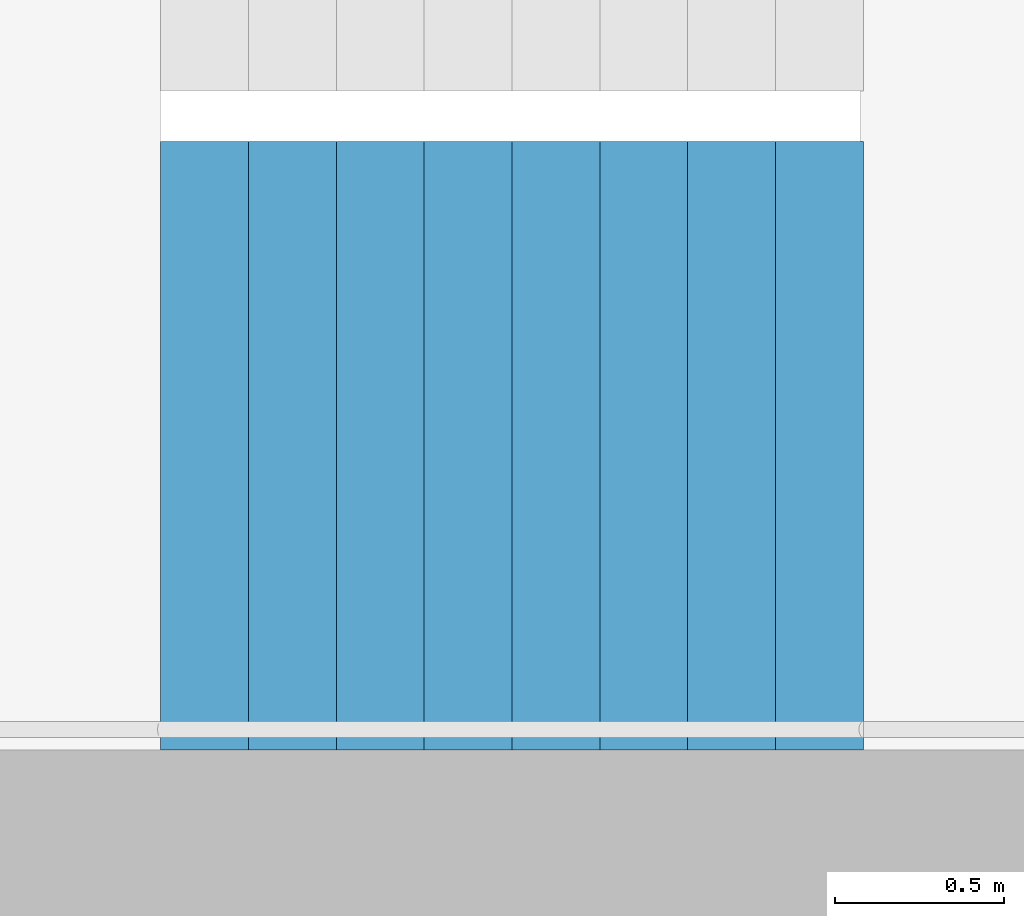
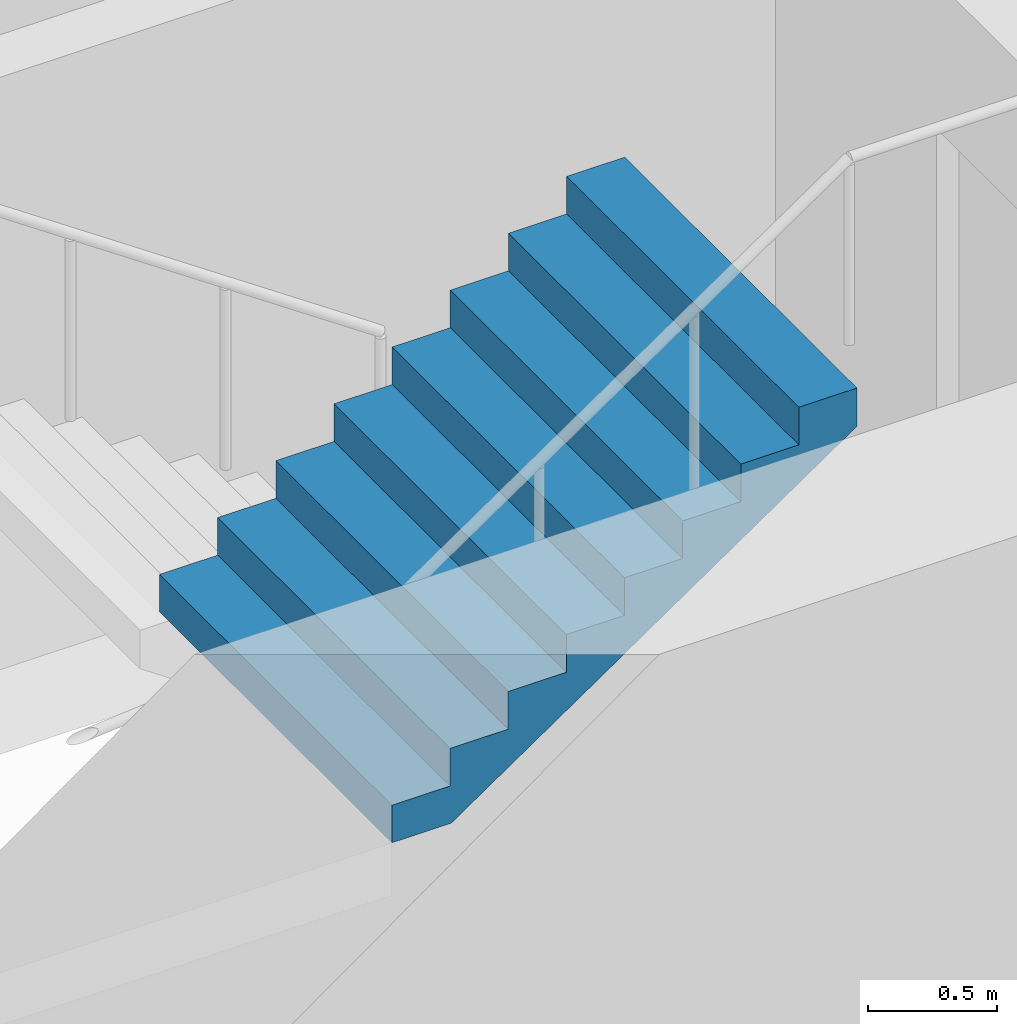
# One storey, part 19 of 33: 1 stair flight, 1 element without a shape of its own.
"""IFC4 building model written with IfcOpenShell, lengths in metres."""

import ifcopenshell
import ifcopenshell.guid

model = None  # the IFC model being written
_history = None  # IfcOwnerHistory: only IFC2X3 demands one
_inside = {}  # id of a spatial element -> (the spatial element, [elements in it])
_under = {}  # id of a project, library or spatial element -> (it, [spatial elements below it])
_declared = {}  # id of a project -> (the project, [libraries it declares])
_typed = {}  # id of a type object -> (the type object, [elements of that type])
_made_of = {}  # id of a material, layer set ... -> (it, [elements and type objects made of it])


def new_model(schema):
    """Start an empty IFC model of exactly this schema.

    Asked for "IFC4X3", IfcOpenShell would pick the latest addendum, in which some entities
    have other attributes; the version numbers below select the first issue.
    IFC2X3 requires an IfcOwnerHistory on every rooted entity: one is made here for all.
    """
    global model, _history
    if schema == "IFC4X3":
        model = ifcopenshell.file(schema_version=(4, 3, 0, 0))
    else:
        model = ifcopenshell.file(schema=schema)
    _inside.clear()
    _under.clear()
    _declared.clear()
    _typed.clear()
    _made_of.clear()
    _history = None
    if model.schema == "IFC2X3":
        org = make("IfcOrganization", Name="unknown")
        user = make(
            "IfcPersonAndOrganization",
            ThePerson=make("IfcPerson", FamilyName="unknown"),
            TheOrganization=org,
        )
        app = make(
            "IfcApplication",
            ApplicationDeveloper=org,
            Version="unknown",
            ApplicationFullName="unknown",
            ApplicationIdentifier="unknown",
        )
        _history = make(
            "IfcOwnerHistory",
            OwningUser=user,
            OwningApplication=app,
            ChangeAction="ADDED",
            CreationDate=0,
        )
    return model


def make(cls, **values):
    """One entity of the class cls with the attributes given. An attribute that is None is left unset."""
    return model.create_entity(
        cls, **{name: value for name, value in values.items() if value is not None}
    )


def rooted(cls, **values):
    """An entity with a GlobalId (a new one), such as an element, a storey or a relation."""
    return make(cls, GlobalId=ifcopenshell.guid.new(), OwnerHistory=_history, **values)


def si_unit(unit_type, name, prefix=None):
    """IfcSIUnit, for example si_unit("LENGTHUNIT", "METRE", prefix="MILLI")."""
    return make("IfcSIUnit", UnitType=unit_type, Prefix=prefix, Name=name)


def assignment(units):
    """IfcUnitAssignment: the units of a project."""
    return None if units is None else make("IfcUnitAssignment", Units=units)


def point(xyz):
    """IfcCartesianPoint."""
    return None if xyz is None else make("IfcCartesianPoint", Coordinates=xyz)


def direction(xyz):
    """IfcDirection."""
    return None if xyz is None else make("IfcDirection", DirectionRatios=xyz)


def frame(location, z_axis=None, x_axis=None):
    """IfcAxis2Placement3D, a coordinate frame: its origin and axes. An axis left out is left unset."""
    return make(
        "IfcAxis2Placement3D",
        Location=point(location),
        Axis=direction(z_axis),
        RefDirection=direction(x_axis),
    )


def origin():
    """The frame at (0, 0, 0) with its axes left unset."""
    return frame((0.0, 0.0, 0.0))


def place(relative_to, where):
    """IfcLocalPlacement: puts the frame where relative to a parent placement (None: the world)."""
    return make(
        "IfcLocalPlacement", PlacementRelTo=relative_to, RelativePlacement=where
    )


def context(
    kind, dimensions, precision=None, world=None, true_north=None, identifier=None
):
    """IfcGeometricRepresentationContext, for example the 3D "Model" context."""
    return make(
        "IfcGeometricRepresentationContext",
        ContextIdentifier=identifier,
        ContextType=kind,
        CoordinateSpaceDimension=dimensions,
        Precision=precision,
        WorldCoordinateSystem=world,
        TrueNorth=true_north,
    )


def subcontext(parent, identifier, kind, view, scale=None):
    """IfcGeometricRepresentationSubContext, for example "Body" below "Model"."""
    return make(
        "IfcGeometricRepresentationSubContext",
        ContextIdentifier=identifier,
        ContextType=kind,
        ParentContext=parent,
        TargetScale=scale,
        TargetView=view,
    )


def project(units=None, contexts=None):
    """IfcProject with its units and contexts."""
    return rooted(
        "IfcProject",
        Name="project",
        RepresentationContexts=contexts,
        UnitsInContext=assignment(units),
    )


def spatial(cls, under=None, at=None, **own):
    """A site, building, storey or space (cls), placed at a placement, below another one or the project."""
    s = rooted(cls, ObjectPlacement=at, **own)
    if under is not None:
        _under.setdefault(under.id(), (under, []))[1].append(s)
    return s


def point_list(points):
    """IfcCartesianPointList2D or 3D."""
    cls = (
        "IfcCartesianPointList2D" if len(points[0]) == 2 else "IfcCartesianPointList3D"
    )
    return make(cls, CoordList=points)


def triangles(points, corners, closed=None, point_numbers=None):
    """IfcTriangulatedFaceSet: each triangle names its three corners, points numbered from 1."""
    return make(
        "IfcTriangulatedFaceSet",
        Coordinates=point_list(points),
        Closed=closed,
        CoordIndex=corners,
        PnIndex=point_numbers,
    )


def shape(context_of_items, identifier, shape_type, items):
    """IfcShapeRepresentation: the items that make up one representation, for example the "Body"."""
    return make(
        "IfcShapeRepresentation",
        ContextOfItems=context_of_items,
        RepresentationIdentifier=identifier,
        RepresentationType=shape_type,
        Items=items,
    )


def material(Name=None, Category=None):
    """IfcMaterial."""
    return make("IfcMaterial", Name=Name, Category=Category)


def made_of(thing, what):
    """Note that an element or type object is made of a material, layer set ...; save() writes the relation."""
    if what is not None:
        _made_of.setdefault(what.id(), (what, []))[1].append(thing)
    return thing


def type_object(cls, material=None, **own):
    """A type object (cls), such as IfcWallType, which elements share."""
    return made_of(rooted(cls, **own), material)


def element(
    cls,
    number,
    at=None,
    inside=None,
    cuts=None,
    type_object=None,
    material=None,
    context=None,
    identifier="Body",
    shape_type=None,
    held_by="IfcProductDefinitionShape",
    body=None,
    shapes=None,
    **own,
):
    """One element of the class cls, such as IfcWall. Its Tag is "e" and its number.

    at: its placement. inside: the storey or other place that contains it. cuts: it is an
    opening in that element (IfcRelVoidsElement). A single representation is given by context,
    identifier, shape_type and body (its items); several are given by shapes. held_by: the class
    of the entity that holds the representations. save() writes the other relations.
    """
    e = rooted(cls, Tag="e%d" % number, ObjectPlacement=at, **own)
    if body is not None:
        shapes = [shape(context, identifier, shape_type, body)]
    if shapes is not None:
        e.Representation = make(held_by, Representations=shapes)
    if inside is not None:
        _inside.setdefault(inside.id(), (inside, []))[1].append(e)
    if cuts is not None:
        rooted(
            "IfcRelVoidsElement", RelatingBuildingElement=cuts, RelatedOpeningElement=e
        )
    if type_object is not None:
        _typed.setdefault(type_object.id(), (type_object, []))[1].append(e)
    return made_of(e, material)


def aggregate(whole, parts):
    """IfcRelAggregates: a whole, such as a stair, and the parts it consists of."""
    return rooted("IfcRelAggregates", RelatingObject=whole, RelatedObjects=parts)


def save(model, path):
    """Write the relations noted so far, then the file.

    IfcRelAggregates (storeys below a building ...), IfcRelContainedInSpatialStructure (elements
    in a storey), IfcRelDefinesByType, IfcRelAssociatesMaterial and IfcRelDeclares: one each for
    every whole, place, type object, material and project.
    """
    for whole, parts in _under.values():
        aggregate(whole, parts)
    for where, things in _inside.values():
        rooted(
            "IfcRelContainedInSpatialStructure",
            RelatedElements=things,
            RelatingStructure=where,
        )
    for kind, things in _typed.values():
        rooted("IfcRelDefinesByType", RelatedObjects=things, RelatingType=kind)
    for what, things in _made_of.values():
        rooted("IfcRelAssociatesMaterial", RelatedObjects=things, RelatingMaterial=what)
    for by, libraries in _declared.values():
        rooted("IfcRelDeclares", RelatingContext=by, RelatedDefinitions=libraries)
    model.write(path)


model = new_model("IFC4")

# Units and contexts
model_context = context("Model", 3, precision=1e-05, world=origin(), true_north=direction((0.0, 1.0)))
body_context = subcontext(model_context, "Body", "Model", "MODEL_VIEW")
ifc_project = project(units=[si_unit("LENGTHUNIT", "METRE"), si_unit("AREAUNIT", "SQUARE_METRE"), si_unit("VOLUMEUNIT", "CUBIC_METRE"), si_unit("PLANEANGLEUNIT", "RADIAN"), si_unit("MASSUNIT", "GRAM", prefix="KILO")], contexts=[model_context])

# Site, building, storey
site_placement = place(None, origin())
site = spatial("IfcSite", under=ifc_project, at=site_placement, CompositionType="ELEMENT")
building_placement = place(site_placement, origin())
building = spatial("IfcBuilding", under=site, at=building_placement, Name="Hakoniwa Tower and Hamabe Station Hall", CompositionType="ELEMENT")
storey_placement = place(building_placement, frame((0.0, 0.0, 81.800048828125)))
storey = spatial("IfcBuildingStorey", under=building, at=storey_placement, Name="L22", CompositionType="ELEMENT", Elevation=81.800048828125)

# Stair, stair flight
ifc_material_1 = material(Name="Concrete C40", Category="concrete")
stair_type = type_object("IfcStairType", Name="ESCAPE STAIR 1800", PredefinedType="HALF_TURN_STAIR", material=ifc_material_1)
stair_placement = place(storey_placement, origin())
stair = element("IfcStair", 1, at=stair_placement, inside=storey, type_object=stair_type, Name="Escape stair ST-2 L22", PredefinedType="HALF_TURN_STAIR")
ifc_material_2 = material(Name="Concrete C40", Category="concrete")
stair_flight_type = type_object("IfcStairFlightType", Name="STAIR FLIGHT 1800", PredefinedType="STRAIGHT", material=ifc_material_2)
stair_flight_placement = place(storey_placement, frame((-25.47998046875, -6.60009765625, 1.599853515625), z_axis=(0.0, 0.0, 1.0), x_axis=(1.0, 0.0, 0.0)))
stair_flight = element("IfcStairFlight", 2, at=stair_flight_placement, type_object=stair_flight_type, Name="ST-2 flight 2", NumberOfRisers=9, NumberOfTreads=8, PredefinedType="STRAIGHT", RiserHeight=0.177777778, TreadLength=0.26, context=body_context, shape_type="Tessellation", body=[
    triangles([(0.0, 0.89990234375, 0.0), (0.260009765625, 0.89990234375, 0.0), (0.265625, 0.89990234375, 0.0), (0.52001953125, 0.89990234375, 0.174072265625), (0.780029296875, 0.89990234375, 0.351806640625), (1.0400390625, 0.89990234375, 0.529541015625), (1.300048828125, 0.89990234375, 0.707275390625), (1.56005859375, 0.89990234375, 0.885009765625), (1.820068359375, 0.89990234375, 1.062744140625), (2.080078125, 0.89990234375, 1.24072265625), (2.080078125, 0.89990234375, 1.422119140625), (1.820068359375, 0.89990234375, 1.422119140625), (1.820068359375, 0.89990234375, 1.244384765625), (1.56005859375, 0.89990234375, 1.244384765625), (1.56005859375, 0.89990234375, 1.066650390625), (1.300048828125, 0.89990234375, 1.066650390625), (1.300048828125, 0.89990234375, 0.888916015625), (1.0400390625, 0.89990234375, 0.888916015625), (1.0400390625, 0.89990234375, 0.711181640625), (0.780029296875, 0.89990234375, 0.711181640625), (0.780029296875, 0.89990234375, 0.533447265625), (0.52001953125, 0.89990234375, 0.533447265625), (0.52001953125, 0.89990234375, 0.35546875), (0.265625, 0.89990234375, 0.35546875), (0.260009765625, 0.89990234375, 0.35546875), (0.260009765625, 0.89990234375, 0.177734375), (0.0, 0.89990234375, 0.177734375), (0.0, 0.06005859375, 0.0), (0.260009765625, 0.06005859375, 0.0), (0.265625, 0.06005859375, 0.0), (0.52001953125, 0.06005859375, 0.174072265625), (0.780029296875, 0.06005859375, 0.351806640625), (1.0400390625, 0.06005859375, 0.529541015625), (1.300048828125, 0.06005859375, 0.707275390625), (1.56005859375, 0.06005859375, 0.885009765625), (1.820068359375, 0.06005859375, 1.062744140625), (2.080078125, 0.06005859375, 1.24072265625), (2.080078125, 0.06005859375, 1.422119140625), (1.820068359375, 0.06005859375, 1.422119140625), (1.820068359375, 0.06005859375, 1.244384765625), (1.56005859375, 0.06005859375, 1.244384765625), (1.56005859375, 0.06005859375, 1.066650390625), (1.300048828125, 0.06005859375, 1.066650390625), (1.300048828125, 0.06005859375, 0.888916015625), (1.0400390625, 0.06005859375, 0.888916015625), (1.0400390625, 0.06005859375, 0.711181640625), (0.780029296875, 0.06005859375, 0.711181640625), (0.780029296875, 0.06005859375, 0.533447265625), (0.52001953125, 0.06005859375, 0.533447265625), (0.52001953125, 0.06005859375, 0.35546875), (0.265625, 0.06005859375, 0.35546875), (0.260009765625, 0.06005859375, 0.35546875), (0.260009765625, 0.06005859375, 0.177734375), (0.0, 0.06005859375, 0.177734375), (0.0, 0.04296875, 0.0), (0.260009765625, 0.04296875, 0.0), (0.265625, 0.04296875, 0.0), (0.52001953125, 0.04296875, 0.174072265625), (0.780029296875, 0.04296875, 0.351806640625), (1.0400390625, 0.04296875, 0.529541015625), (1.300048828125, 0.04296875, 0.707275390625), (1.56005859375, 0.04296875, 0.885009765625), (1.820068359375, 0.04296875, 1.062744140625), (2.080078125, 0.04296875, 1.24072265625), (2.080078125, 0.04296875, 1.422119140625), (1.820068359375, 0.04296875, 1.422119140625), (1.820068359375, 0.04296875, 1.244384765625), (1.56005859375, 0.04296875, 1.244384765625), (1.56005859375, 0.04296875, 1.066650390625), (1.300048828125, 0.04296875, 1.066650390625), (1.300048828125, 0.04296875, 0.888916015625), (1.0400390625, 0.04296875, 0.888916015625), (1.0400390625, 0.04296875, 0.711181640625), (0.780029296875, 0.04296875, 0.711181640625), (0.780029296875, 0.04296875, 0.533447265625), (0.52001953125, 0.04296875, 0.533447265625), (0.52001953125, 0.04296875, 0.35546875), (0.265625, 0.04296875, 0.35546875), (0.260009765625, 0.04296875, 0.35546875), (0.260009765625, 0.04296875, 0.177734375), (0.0, 0.04296875, 0.177734375), (0.0, 0.025634765625, 0.0), (0.260009765625, 0.025634765625, 0.0), (0.265625, 0.025634765625, 0.0), (0.52001953125, 0.025634765625, 0.174072265625), (0.780029296875, 0.025634765625, 0.351806640625), (1.0400390625, 0.025634765625, 0.529541015625), (1.300048828125, 0.025634765625, 0.707275390625), (1.56005859375, 0.025634765625, 0.885009765625), (1.820068359375, 0.025634765625, 1.062744140625), (2.080078125, 0.025634765625, 1.24072265625), (2.080078125, 0.025634765625, 1.422119140625), (1.820068359375, 0.025634765625, 1.422119140625), (1.820068359375, 0.025634765625, 1.244384765625), (1.56005859375, 0.025634765625, 1.244384765625), (1.56005859375, 0.025634765625, 1.066650390625), (1.300048828125, 0.025634765625, 1.066650390625), (1.300048828125, 0.025634765625, 0.888916015625), (1.0400390625, 0.025634765625, 0.888916015625), (1.0400390625, 0.025634765625, 0.711181640625), (0.780029296875, 0.025634765625, 0.711181640625), (0.780029296875, 0.025634765625, 0.533447265625), (0.52001953125, 0.025634765625, 0.533447265625), (0.52001953125, 0.025634765625, 0.35546875), (0.265625, 0.025634765625, 0.35546875), (0.260009765625, 0.025634765625, 0.35546875), (0.260009765625, 0.025634765625, 0.177734375), (0.0, 0.025634765625, 0.177734375), (0.0, 0.008544921875, 0.0), (0.260009765625, 0.008544921875, 0.0), (0.265625, 0.008544921875, 0.0), (0.52001953125, 0.008544921875, 0.174072265625), (0.780029296875, 0.008544921875, 0.351806640625), (1.0400390625, 0.008544921875, 0.529541015625), (1.300048828125, 0.008544921875, 0.707275390625), (1.56005859375, 0.008544921875, 0.885009765625), (1.820068359375, 0.008544921875, 1.062744140625), (2.080078125, 0.008544921875, 1.24072265625), (2.080078125, 0.008544921875, 1.422119140625), (1.820068359375, 0.008544921875, 1.422119140625), (1.820068359375, 0.008544921875, 1.244384765625), (1.56005859375, 0.008544921875, 1.244384765625), (1.56005859375, 0.008544921875, 1.066650390625), (1.300048828125, 0.008544921875, 1.066650390625), (1.300048828125, 0.008544921875, 0.888916015625), (1.0400390625, 0.008544921875, 0.888916015625), (1.0400390625, 0.008544921875, 0.711181640625), (0.780029296875, 0.008544921875, 0.711181640625), (0.780029296875, 0.008544921875, 0.533447265625), (0.52001953125, 0.008544921875, 0.533447265625), (0.52001953125, 0.008544921875, 0.35546875), (0.265625, 0.008544921875, 0.35546875), (0.260009765625, 0.008544921875, 0.35546875), (0.260009765625, 0.008544921875, 0.177734375), (0.0, 0.008544921875, 0.177734375), (0.0, -0.008544921875, 0.0), (0.260009765625, -0.008544921875, 0.0), (0.265625, -0.008544921875, 0.0), (0.52001953125, -0.008544921875, 0.174072265625), (0.780029296875, -0.008544921875, 0.351806640625), (1.0400390625, -0.008544921875, 0.529541015625), (1.300048828125, -0.008544921875, 0.707275390625), (1.56005859375, -0.008544921875, 0.885009765625), (1.820068359375, -0.008544921875, 1.062744140625), (2.080078125, -0.008544921875, 1.24072265625), (2.080078125, -0.008544921875, 1.422119140625), (1.820068359375, -0.008544921875, 1.422119140625), (1.820068359375, -0.008544921875, 1.244384765625), (1.56005859375, -0.008544921875, 1.244384765625), (1.56005859375, -0.008544921875, 1.066650390625), (1.300048828125, -0.008544921875, 1.066650390625), (1.300048828125, -0.008544921875, 0.888916015625), (1.0400390625, -0.008544921875, 0.888916015625), (1.0400390625, -0.008544921875, 0.711181640625), (0.780029296875, -0.008544921875, 0.711181640625), (0.780029296875, -0.008544921875, 0.533447265625), (0.52001953125, -0.008544921875, 0.533447265625), (0.52001953125, -0.008544921875, 0.35546875), (0.265625, -0.008544921875, 0.35546875), (0.260009765625, -0.008544921875, 0.35546875), (0.260009765625, -0.008544921875, 0.177734375), (0.0, -0.008544921875, 0.177734375), (0.0, -0.025634765625, 0.0), (0.260009765625, -0.025634765625, 0.0), (0.265625, -0.025634765625, 0.0), (0.52001953125, -0.025634765625, 0.174072265625), (0.780029296875, -0.025634765625, 0.351806640625), (1.0400390625, -0.025634765625, 0.529541015625), (1.300048828125, -0.025634765625, 0.707275390625), (1.56005859375, -0.025634765625, 0.885009765625), (1.820068359375, -0.025634765625, 1.062744140625), (2.080078125, -0.025634765625, 1.24072265625), (2.080078125, -0.025634765625, 1.422119140625), (1.820068359375, -0.025634765625, 1.422119140625), (1.820068359375, -0.025634765625, 1.244384765625), (1.56005859375, -0.025634765625, 1.244384765625), (1.56005859375, -0.025634765625, 1.066650390625), (1.300048828125, -0.025634765625, 1.066650390625), (1.300048828125, -0.025634765625, 0.888916015625), (1.0400390625, -0.025634765625, 0.888916015625), (1.0400390625, -0.025634765625, 0.711181640625), (0.780029296875, -0.025634765625, 0.711181640625), (0.780029296875, -0.025634765625, 0.533447265625), (0.52001953125, -0.025634765625, 0.533447265625), (0.52001953125, -0.025634765625, 0.35546875), (0.265625, -0.025634765625, 0.35546875), (0.260009765625, -0.025634765625, 0.35546875), (0.260009765625, -0.025634765625, 0.177734375), (0.0, -0.025634765625, 0.177734375), (0.0, -0.04296875, 0.0), (0.260009765625, -0.04296875, 0.0), (0.265625, -0.04296875, 0.0), (0.52001953125, -0.04296875, 0.174072265625), (0.780029296875, -0.04296875, 0.351806640625), (1.0400390625, -0.04296875, 0.529541015625), (1.300048828125, -0.04296875, 0.707275390625), (1.56005859375, -0.04296875, 0.885009765625), (1.820068359375, -0.04296875, 1.062744140625), (2.080078125, -0.04296875, 1.24072265625), (2.080078125, -0.04296875, 1.422119140625), (1.820068359375, -0.04296875, 1.422119140625), (1.820068359375, -0.04296875, 1.244384765625), (1.56005859375, -0.04296875, 1.244384765625), (1.56005859375, -0.04296875, 1.066650390625), (1.300048828125, -0.04296875, 1.066650390625), (1.300048828125, -0.04296875, 0.888916015625), (1.0400390625, -0.04296875, 0.888916015625), (1.0400390625, -0.04296875, 0.711181640625), (0.780029296875, -0.04296875, 0.711181640625), (0.780029296875, -0.04296875, 0.533447265625), (0.52001953125, -0.04296875, 0.533447265625), (0.52001953125, -0.04296875, 0.35546875), (0.265625, -0.04296875, 0.35546875), (0.260009765625, -0.04296875, 0.35546875), (0.260009765625, -0.04296875, 0.177734375), (0.0, -0.04296875, 0.177734375), (0.0, -0.06005859375, 0.0), (0.260009765625, -0.06005859375, 0.0), (0.265625, -0.06005859375, 0.0), (0.52001953125, -0.06005859375, 0.174072265625), (0.780029296875, -0.06005859375, 0.351806640625), (1.0400390625, -0.06005859375, 0.529541015625), (1.300048828125, -0.06005859375, 0.707275390625), (1.56005859375, -0.06005859375, 0.885009765625), (1.820068359375, -0.06005859375, 1.062744140625), (2.080078125, -0.06005859375, 1.24072265625), (2.080078125, -0.06005859375, 1.422119140625), (1.820068359375, -0.06005859375, 1.422119140625), (1.820068359375, -0.06005859375, 1.244384765625), (1.56005859375, -0.06005859375, 1.244384765625), (1.56005859375, -0.06005859375, 1.066650390625), (1.300048828125, -0.06005859375, 1.066650390625), (1.300048828125, -0.06005859375, 0.888916015625), (1.0400390625, -0.06005859375, 0.888916015625), (1.0400390625, -0.06005859375, 0.711181640625), (0.780029296875, -0.06005859375, 0.711181640625), (0.780029296875, -0.06005859375, 0.533447265625), (0.52001953125, -0.06005859375, 0.533447265625), (0.52001953125, -0.06005859375, 0.35546875), (0.265625, -0.06005859375, 0.35546875), (0.260009765625, -0.06005859375, 0.35546875), (0.260009765625, -0.06005859375, 0.177734375), (0.0, -0.06005859375, 0.177734375), (0.0, -0.89990234375, 0.0), (0.260009765625, -0.89990234375, 0.0), (0.265625, -0.89990234375, 0.0), (0.52001953125, -0.89990234375, 0.174072265625), (0.780029296875, -0.89990234375, 0.351806640625), (1.0400390625, -0.89990234375, 0.529541015625), (1.300048828125, -0.89990234375, 0.707275390625), (1.56005859375, -0.89990234375, 0.885009765625), (1.820068359375, -0.89990234375, 1.062744140625), (2.080078125, -0.89990234375, 1.24072265625), (2.080078125, -0.89990234375, 1.422119140625), (1.820068359375, -0.89990234375, 1.422119140625), (1.820068359375, -0.89990234375, 1.244384765625), (1.56005859375, -0.89990234375, 1.244384765625), (1.56005859375, -0.89990234375, 1.066650390625), (1.300048828125, -0.89990234375, 1.066650390625), (1.300048828125, -0.89990234375, 0.888916015625), (1.0400390625, -0.89990234375, 0.888916015625), (1.0400390625, -0.89990234375, 0.711181640625), (0.780029296875, -0.89990234375, 0.711181640625), (0.780029296875, -0.89990234375, 0.533447265625), (0.52001953125, -0.89990234375, 0.533447265625), (0.52001953125, -0.89990234375, 0.35546875), (0.265625, -0.89990234375, 0.35546875), (0.260009765625, -0.89990234375, 0.35546875), (0.260009765625, -0.89990234375, 0.177734375), (0.0, -0.89990234375, 0.177734375)], [[2, 27, 26], [245, 269, 270], [2, 1, 27], [245, 270, 244], [3, 25, 24], [246, 267, 268], [3, 26, 25], [246, 268, 269], [3, 2, 26], [246, 269, 245], [4, 24, 23], [247, 266, 267], [4, 3, 24], [247, 267, 246], [5, 22, 21], [248, 264, 265], [5, 23, 22], [248, 265, 266], [5, 4, 23], [248, 266, 247], [6, 20, 19], [249, 262, 263], [6, 21, 20], [249, 263, 264], [6, 5, 21], [249, 264, 248], [7, 18, 17], [250, 260, 261], [7, 19, 18], [250, 261, 262], [7, 6, 19], [250, 262, 249], [8, 16, 15], [251, 258, 259], [8, 17, 16], [251, 259, 260], [8, 7, 17], [251, 260, 250], [9, 14, 13], [252, 256, 257], [9, 15, 14], [252, 257, 258], [9, 8, 15], [252, 258, 251], [10, 12, 11], [253, 254, 255], [10, 13, 12], [253, 255, 256], [10, 9, 13], [253, 256, 252], [1, 2, 29], [1, 29, 28], [28, 29, 56], [28, 56, 55], [55, 56, 83], [55, 83, 82], [82, 83, 110], [82, 110, 109], [109, 110, 137], [109, 137, 136], [136, 137, 164], [136, 164, 163], [163, 164, 191], [163, 191, 190], [190, 191, 218], [190, 218, 217], [217, 218, 245], [217, 245, 244], [2, 3, 30], [2, 30, 29], [29, 30, 57], [29, 57, 56], [56, 57, 84], [56, 84, 83], [83, 84, 111], [83, 111, 110], [110, 111, 138], [110, 138, 137], [137, 138, 165], [137, 165, 164], [164, 165, 192], [164, 192, 191], [191, 192, 219], [191, 219, 218], [218, 219, 246], [218, 246, 245], [3, 4, 31], [3, 31, 30], [30, 31, 58], [30, 58, 57], [57, 58, 85], [57, 85, 84], [84, 85, 112], [84, 112, 111], [111, 112, 139], [111, 139, 138], [138, 139, 166], [138, 166, 165], [165, 166, 193], [165, 193, 192], [192, 193, 220], [192, 220, 219], [219, 220, 247], [219, 247, 246], [4, 5, 32], [4, 32, 31], [31, 32, 59], [31, 59, 58], [58, 59, 86], [58, 86, 85], [85, 86, 113], [85, 113, 112], [112, 113, 140], [112, 140, 139], [139, 140, 167], [139, 167, 166], [166, 167, 194], [166, 194, 193], [193, 194, 221], [193, 221, 220], [220, 221, 248], [220, 248, 247], [5, 6, 33], [5, 33, 32], [32, 33, 60], [32, 60, 59], [59, 60, 87], [59, 87, 86], [86, 87, 114], [86, 114, 113], [113, 114, 141], [113, 141, 140], [140, 141, 168], [140, 168, 167], [167, 168, 195], [167, 195, 194], [194, 195, 222], [194, 222, 221], [221, 222, 249], [221, 249, 248], [6, 7, 34], [6, 34, 33], [33, 34, 61], [33, 61, 60], [60, 61, 88], [60, 88, 87], [87, 88, 115], [87, 115, 114], [114, 115, 142], [114, 142, 141], [141, 142, 169], [141, 169, 168], [168, 169, 196], [168, 196, 195], [195, 196, 223], [195, 223, 222], [222, 223, 250], [222, 250, 249], [7, 8, 35], [7, 35, 34], [34, 35, 62], [34, 62, 61], [61, 62, 89], [61, 89, 88], [88, 89, 116], [88, 116, 115], [115, 116, 143], [115, 143, 142], [142, 143, 170], [142, 170, 169], [169, 170, 197], [169, 197, 196], [196, 197, 224], [196, 224, 223], [223, 224, 251], [223, 251, 250], [8, 9, 36], [8, 36, 35], [35, 36, 63], [35, 63, 62], [62, 63, 90], [62, 90, 89], [89, 90, 117], [89, 117, 116], [116, 117, 144], [116, 144, 143], [143, 144, 171], [143, 171, 170], [170, 171, 198], [170, 198, 197], [197, 198, 225], [197, 225, 224], [224, 225, 252], [224, 252, 251], [9, 10, 37], [9, 37, 36], [36, 37, 64], [36, 64, 63], [63, 64, 91], [63, 91, 90], [90, 91, 118], [90, 118, 117], [117, 118, 145], [117, 145, 144], [144, 145, 172], [144, 172, 171], [171, 172, 199], [171, 199, 198], [198, 199, 226], [198, 226, 225], [225, 226, 253], [225, 253, 252], [10, 11, 38], [10, 38, 37], [37, 38, 65], [37, 65, 64], [64, 65, 92], [64, 92, 91], [91, 92, 119], [91, 119, 118], [118, 119, 146], [118, 146, 145], [145, 146, 173], [145, 173, 172], [172, 173, 200], [172, 200, 199], [199, 200, 227], [199, 227, 226], [226, 227, 254], [226, 254, 253], [11, 12, 39], [11, 39, 38], [38, 39, 66], [38, 66, 65], [65, 66, 93], [65, 93, 92], [92, 93, 120], [92, 120, 119], [119, 120, 147], [119, 147, 146], [146, 147, 174], [146, 174, 173], [173, 174, 201], [173, 201, 200], [200, 201, 228], [200, 228, 227], [227, 228, 255], [227, 255, 254], [12, 13, 40], [12, 40, 39], [39, 40, 67], [39, 67, 66], [66, 67, 94], [66, 94, 93], [93, 94, 121], [93, 121, 120], [120, 121, 148], [120, 148, 147], [147, 148, 175], [147, 175, 174], [174, 175, 202], [174, 202, 201], [201, 202, 229], [201, 229, 228], [228, 229, 256], [228, 256, 255], [13, 14, 41], [13, 41, 40], [40, 41, 68], [40, 68, 67], [67, 68, 95], [67, 95, 94], [94, 95, 122], [94, 122, 121], [121, 122, 149], [121, 149, 148], [148, 149, 176], [148, 176, 175], [175, 176, 203], [175, 203, 202], [202, 203, 230], [202, 230, 229], [229, 230, 257], [229, 257, 256], [14, 15, 42], [14, 42, 41], [41, 42, 69], [41, 69, 68], [68, 69, 96], [68, 96, 95], [95, 96, 123], [95, 123, 122], [122, 123, 150], [122, 150, 149], [149, 150, 177], [149, 177, 176], [176, 177, 204], [176, 204, 203], [203, 204, 231], [203, 231, 230], [230, 231, 258], [230, 258, 257], [15, 16, 43], [15, 43, 42], [42, 43, 70], [42, 70, 69], [69, 70, 97], [69, 97, 96], [96, 97, 124], [96, 124, 123], [123, 124, 151], [123, 151, 150], [150, 151, 178], [150, 178, 177], [177, 178, 205], [177, 205, 204], [204, 205, 232], [204, 232, 231], [231, 232, 259], [231, 259, 258], [16, 17, 44], [16, 44, 43], [43, 44, 71], [43, 71, 70], [70, 71, 98], [70, 98, 97], [97, 98, 125], [97, 125, 124], [124, 125, 152], [124, 152, 151], [151, 152, 179], [151, 179, 178], [178, 179, 206], [178, 206, 205], [205, 206, 233], [205, 233, 232], [232, 233, 260], [232, 260, 259], [17, 18, 45], [17, 45, 44], [44, 45, 72], [44, 72, 71], [71, 72, 99], [71, 99, 98], [98, 99, 126], [98, 126, 125], [125, 126, 153], [125, 153, 152], [152, 153, 180], [152, 180, 179], [179, 180, 207], [179, 207, 206], [206, 207, 234], [206, 234, 233], [233, 234, 261], [233, 261, 260], [18, 19, 46], [18, 46, 45], [45, 46, 73], [45, 73, 72], [72, 73, 100], [72, 100, 99], [99, 100, 127], [99, 127, 126], [126, 127, 154], [126, 154, 153], [153, 154, 181], [153, 181, 180], [180, 181, 208], [180, 208, 207], [207, 208, 235], [207, 235, 234], [234, 235, 262], [234, 262, 261], [19, 20, 47], [19, 47, 46], [46, 47, 74], [46, 74, 73], [73, 74, 101], [73, 101, 100], [100, 101, 128], [100, 128, 127], [127, 128, 155], [127, 155, 154], [154, 155, 182], [154, 182, 181], [181, 182, 209], [181, 209, 208], [208, 209, 236], [208, 236, 235], [235, 236, 263], [235, 263, 262], [20, 21, 48], [20, 48, 47], [47, 48, 75], [47, 75, 74], [74, 75, 102], [74, 102, 101], [101, 102, 129], [101, 129, 128], [128, 129, 156], [128, 156, 155], [155, 156, 183], [155, 183, 182], [182, 183, 210], [182, 210, 209], [209, 210, 237], [209, 237, 236], [236, 237, 264], [236, 264, 263], [21, 22, 49], [21, 49, 48], [48, 49, 76], [48, 76, 75], [75, 76, 103], [75, 103, 102], [102, 103, 130], [102, 130, 129], [129, 130, 157], [129, 157, 156], [156, 157, 184], [156, 184, 183], [183, 184, 211], [183, 211, 210], [210, 211, 238], [210, 238, 237], [237, 238, 265], [237, 265, 264], [22, 23, 50], [22, 50, 49], [49, 50, 77], [49, 77, 76], [76, 77, 104], [76, 104, 103], [103, 104, 131], [103, 131, 130], [130, 131, 158], [130, 158, 157], [157, 158, 185], [157, 185, 184], [184, 185, 212], [184, 212, 211], [211, 212, 239], [211, 239, 238], [238, 239, 266], [238, 266, 265], [23, 24, 51], [23, 51, 50], [50, 51, 78], [50, 78, 77], [77, 78, 105], [77, 105, 104], [104, 105, 132], [104, 132, 131], [131, 132, 159], [131, 159, 158], [158, 159, 186], [158, 186, 185], [185, 186, 213], [185, 213, 212], [212, 213, 240], [212, 240, 239], [239, 240, 267], [239, 267, 266], [24, 25, 52], [24, 52, 51], [51, 52, 79], [51, 79, 78], [78, 79, 106], [78, 106, 105], [105, 106, 133], [105, 133, 132], [132, 133, 160], [132, 160, 159], [159, 160, 187], [159, 187, 186], [186, 187, 214], [186, 214, 213], [213, 214, 241], [213, 241, 240], [240, 241, 268], [240, 268, 267], [25, 26, 53], [25, 53, 52], [52, 53, 80], [52, 80, 79], [79, 80, 107], [79, 107, 106], [106, 107, 134], [106, 134, 133], [133, 134, 161], [133, 161, 160], [160, 161, 188], [160, 188, 187], [187, 188, 215], [187, 215, 214], [214, 215, 242], [214, 242, 241], [241, 242, 269], [241, 269, 268], [26, 27, 54], [26, 54, 53], [53, 54, 81], [53, 81, 80], [80, 81, 108], [80, 108, 107], [107, 108, 135], [107, 135, 134], [134, 135, 162], [134, 162, 161], [161, 162, 189], [161, 189, 188], [188, 189, 216], [188, 216, 215], [215, 216, 243], [215, 243, 242], [242, 243, 270], [242, 270, 269], [27, 1, 28], [27, 28, 54], [54, 28, 55], [54, 55, 81], [81, 55, 82], [81, 82, 108], [108, 82, 109], [108, 109, 135], [135, 109, 136], [135, 136, 162], [162, 136, 163], [162, 163, 189], [189, 163, 190], [189, 190, 216], [216, 190, 217], [216, 217, 243], [243, 217, 244], [243, 244, 270]], closed=True),
])
aggregate(stair, [stair_flight])

save(model, "model.ifc")
